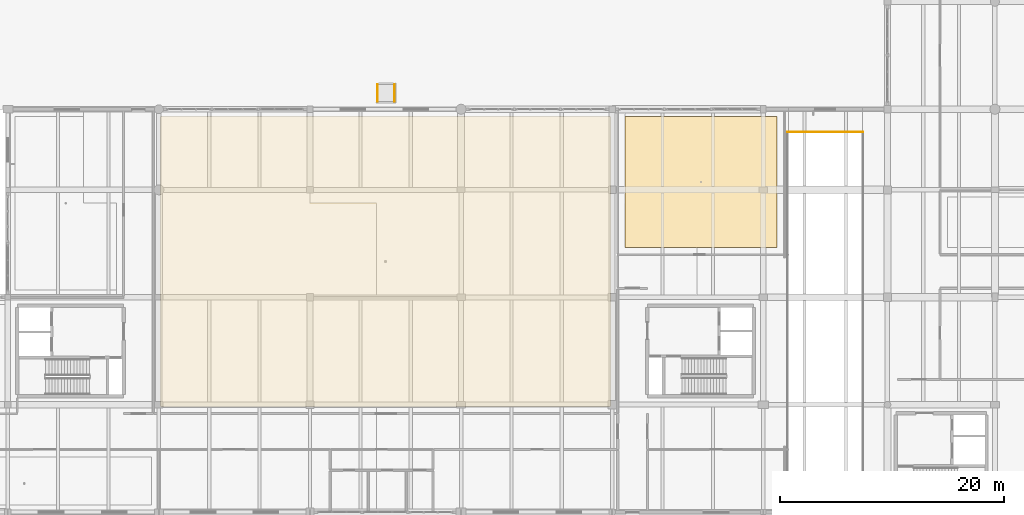
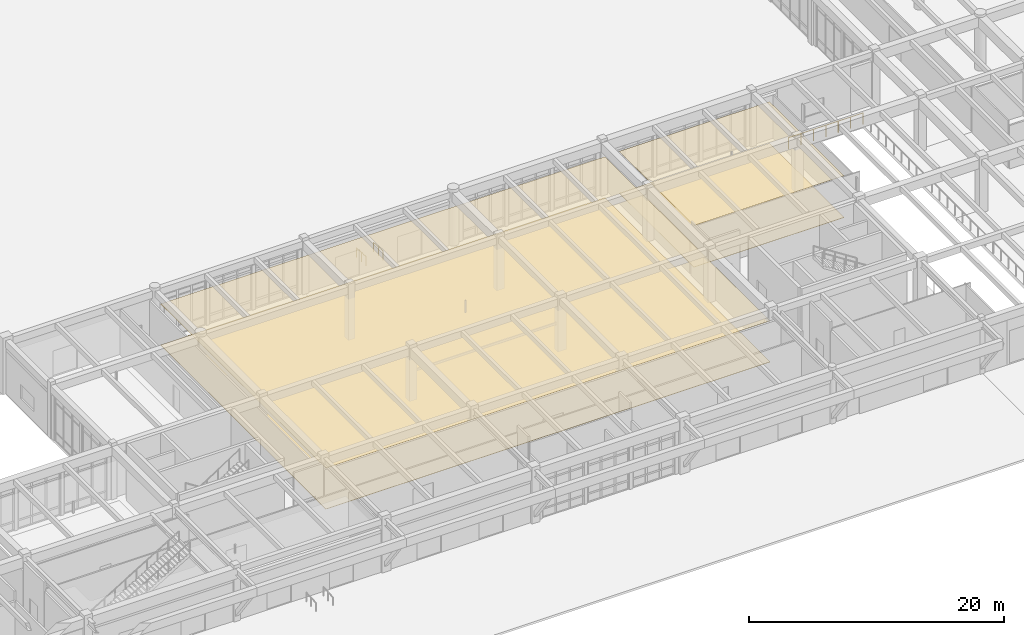
# One storey, part 129 of 138: 4 coverings, 3 railings.
"""IFC4 building model written with IfcOpenShell, lengths in metres."""

from ifc_helpers import new_model, si_unit, direction, frame, origin, origin_2d, place, context, subcontext, project, spatial, polyline, circle, outline, extrude, material, layer, layer_set, type_object, element, save


model = new_model("IFC4")

# Units and contexts
model_context = context("Model", 3, precision=1e-05, world=origin(), true_north=direction((0.0, 1.0)))
body_context = subcontext(model_context, "Body", "Model", "MODEL_VIEW")
ifc_project = project(units=[si_unit("LENGTHUNIT", "METRE"), si_unit("AREAUNIT", "SQUARE_METRE"), si_unit("VOLUMEUNIT", "CUBIC_METRE"), si_unit("PLANEANGLEUNIT", "RADIAN"), si_unit("MASSUNIT", "GRAM", prefix="KILO")], contexts=[model_context])

# Site, building, storey
site_placement = place(None, origin())
site = spatial("IfcSite", under=ifc_project, at=site_placement, CompositionType="ELEMENT")
building_placement = place(site_placement, origin())
building = spatial("IfcBuilding", under=site, at=building_placement, Name="Fikremerkos Civic Library", CompositionType="ELEMENT")
storey_placement = place(building_placement, origin())
storey = spatial("IfcBuildingStorey", under=building, at=storey_placement, Name="L00", CompositionType="ELEMENT", Elevation=0.0)

# Coverings
ifc_material_1 = material(Name="Perforated acoustic cedar timber", Category="wood")
ifc_layer_1 = layer(ifc_material_1, 0.02490234375, Name="Perforated acoustic cedar timber")
ifc_layer_set_1 = layer_set([ifc_layer_1], Name="Perforated acoustic cedar timber")
covering_type_1 = type_object("IfcCoveringType", Name="Acoustic perforated timber ceiling CLG-01", PredefinedType="CEILING", material=ifc_layer_set_1)
covering_1_placement = place(storey_placement, frame((0.0, 0.0, 3.929931640625)))
element("IfcCovering", 1, at=covering_1_placement, inside=storey, type_object=covering_type_1, Name="Acoustic ceiling Stepped Atrium Reading Lounge", PredefinedType="CEILING", context=body_context, shape_type="SweptSolid", body=[
    extrude(outline(polyline([(59.85009765625, 47.35009765625), (100.050048828125, 47.35009765625), (100.050048828125, 21.449951171875), (59.85009765625, 21.449951171875), (59.85009765625, 47.35009765625)])), origin(), (0.0, 0.0, 1.0), 0.025146484375),
])
covering_2_placement = place(storey_placement, frame((0.0, 0.0, 3.989990234375)))
element("IfcCovering", 2, at=covering_2_placement, inside=storey, type_object=covering_type_1, Name="Acoustic ceiling Cafe Kitchen and Servery", PredefinedType="CEILING", context=body_context, shape_type="SweptSolid", body=[
    extrude(outline(polyline([(101.35009765625, 47.35009765625), (114.949951171875, 47.35009765625), (114.949951171875, 35.64990234375), (101.35009765625, 35.64990234375), (101.35009765625, 47.35009765625)])), origin(), (0.0, 0.0, 1.0), 0.02490234375),
])

# Railings
ifc_material_2 = material(Name="Brushed stainless steel", Category="steel")
railing_type_1 = type_object("IfcRailingType", Name="Exterior ramp handrail HRL-02 900", PredefinedType="HANDRAIL", material=ifc_material_2)
for number, where, name in (
    (3, (80.77001953125, 50.199951171875, -0.10009765625), "RMP-04 accessible handrail L"),
    (4, (79.22998046875, 50.199951171875, -0.10009765625), "RMP-04 accessible handrail R"),
):
    element("IfcRailing", number, at=place(storey_placement, frame(where)), inside=storey, type_object=railing_type_1, Name=name, PredefinedType="HANDRAIL", context=body_context, shape_type="SweptSolid", body=[
        extrude(circle(Radius=0.02392578125, at=origin_2d()), frame((0.0, 0.0, 0.8759765625), z_axis=(0.0, -0.997780844277, 0.066583682642), x_axis=(1.0, 0.0, 0.0)), (0.0, 0.0, 1.0), 1.50341796875),
        extrude(circle(Radius=0.02099609375, at=origin_2d()), origin(), (0.0, 0.0, 1.0), 0.851806640625),
        extrude(circle(Radius=0.02099609375, at=origin_2d()), frame((0.0, -0.75, 0.050048828125)), (0.0, 0.0, 1.0), 0.851806640625),
        extrude(circle(Radius=0.02099609375, at=origin_2d()), frame((0.0, -1.5, 0.10009765625)), (0.0, 0.0, 1.0), 0.851806640625),
    ])
ifc_material_3 = material(Name="Painted Steel S275", Category="steel")
railing_type_2 = type_object("IfcRailingType", Name="Interior balustrade guard RLG-INT 1100", PredefinedType="BALUSTRADE", material=ifc_material_3)
railing_placement = place(storey_placement, frame((115.8701171875, 45.97998046875, 0.0)))
element("IfcRailing", 5, at=railing_placement, inside=storey, type_object=railing_type_2, Name="Vehicle ramp well guard L00 N", PredefinedType="BALUSTRADE", context=body_context, shape_type="SweptSolid", body=[
    extrude(circle(Radius=0.02392578125, at=origin_2d()), frame((0.0, 0.0, 1.076171875), z_axis=(1.0, 0.0, 0.0), x_axis=(0.0, 1.0, 0.0)), (0.0, 0.0, 1.0), 6.759765625),
    extrude(circle(Radius=0.02099609375, at=origin_2d()), origin(), (0.0, 0.0, 1.0), 1.052001953125),
    extrude(circle(Radius=0.02099609375, at=origin_2d()), frame((1.126708984375, 0.0, 0.0)), (0.0, 0.0, 1.0), 1.052001953125),
    extrude(circle(Radius=0.02099609375, at=origin_2d()), frame((2.253173828125, 0.0, 0.0)), (0.0, 0.0, 1.0), 1.052001953125),
    extrude(circle(Radius=0.02099609375, at=origin_2d()), frame((3.3798828125, 0.0, 0.0)), (0.0, 0.0, 1.0), 1.052001953125),
    extrude(circle(Radius=0.02099609375, at=origin_2d()), frame((4.506591796875, 0.0, 0.0)), (0.0, 0.0, 1.0), 1.052001953125),
    extrude(circle(Radius=0.02099609375, at=origin_2d()), frame((5.633056640625, 0.0, 0.0)), (0.0, 0.0, 1.0), 1.052001953125),
    extrude(circle(Radius=0.02099609375, at=origin_2d()), frame((6.759765625, 0.0, 0.0)), (0.0, 0.0, 1.0), 1.052001953125),
])

# Coverings
ifc_material_4 = material(Name="Polished basalt terrazzo", Category="masonry")
ifc_layer_2 = layer(ifc_material_4, 0.030029296875, Name="Polished basalt terrazzo")
ifc_layer_set_2 = layer_set([ifc_layer_2], Name="Polished basalt terrazzo")
covering_type_2 = type_object("IfcCoveringType", Name="Polished basalt terrazzo flooring FLR-01", PredefinedType="FLOORING", material=ifc_layer_set_2)
covering_3_placement = place(storey_placement, origin())
element("IfcCovering", 6, at=covering_3_placement, inside=storey, type_object=covering_type_2, Name="Terrazzo floor finish Stepped Atrium Reading Lounge", PredefinedType="FLOORING", context=body_context, shape_type="SweptSolid", body=[
    extrude(outline(polyline([(59.85009765625, 47.35009765625), (100.050048828125, 47.35009765625), (100.050048828125, 21.449951171875), (59.85009765625, 21.449951171875), (59.85009765625, 47.35009765625)])), origin(), (0.0, 0.0, 1.0), 0.030029296875),
])
covering_4_placement = place(storey_placement, origin())
element("IfcCovering", 7, at=covering_4_placement, inside=storey, type_object=covering_type_2, Name="Terrazzo floor finish Cafe Kitchen and Servery", PredefinedType="FLOORING", context=body_context, shape_type="SweptSolid", body=[
    extrude(outline(polyline([(101.35009765625, 47.35009765625), (114.949951171875, 47.35009765625), (114.949951171875, 35.64990234375), (101.35009765625, 35.64990234375), (101.35009765625, 47.35009765625)])), origin(), (0.0, 0.0, 1.0), 0.030029296875),
])

save(model, "model.ifc")
